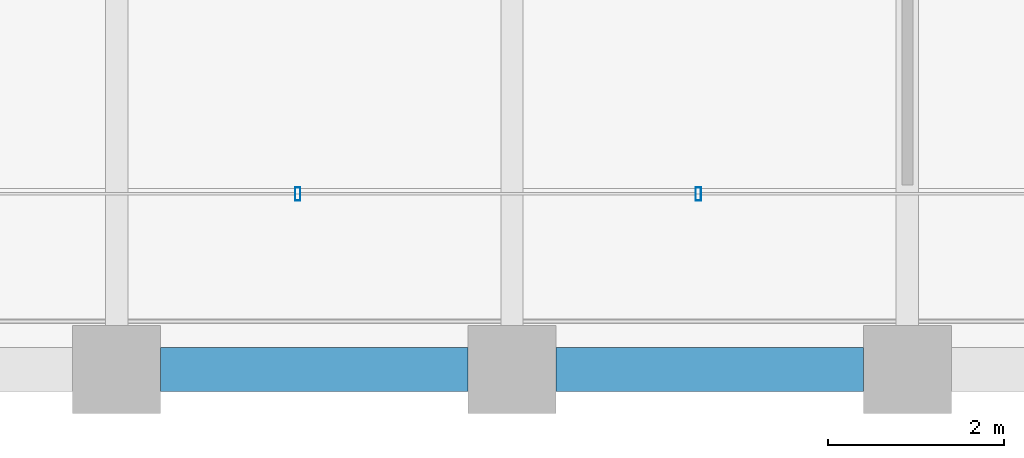
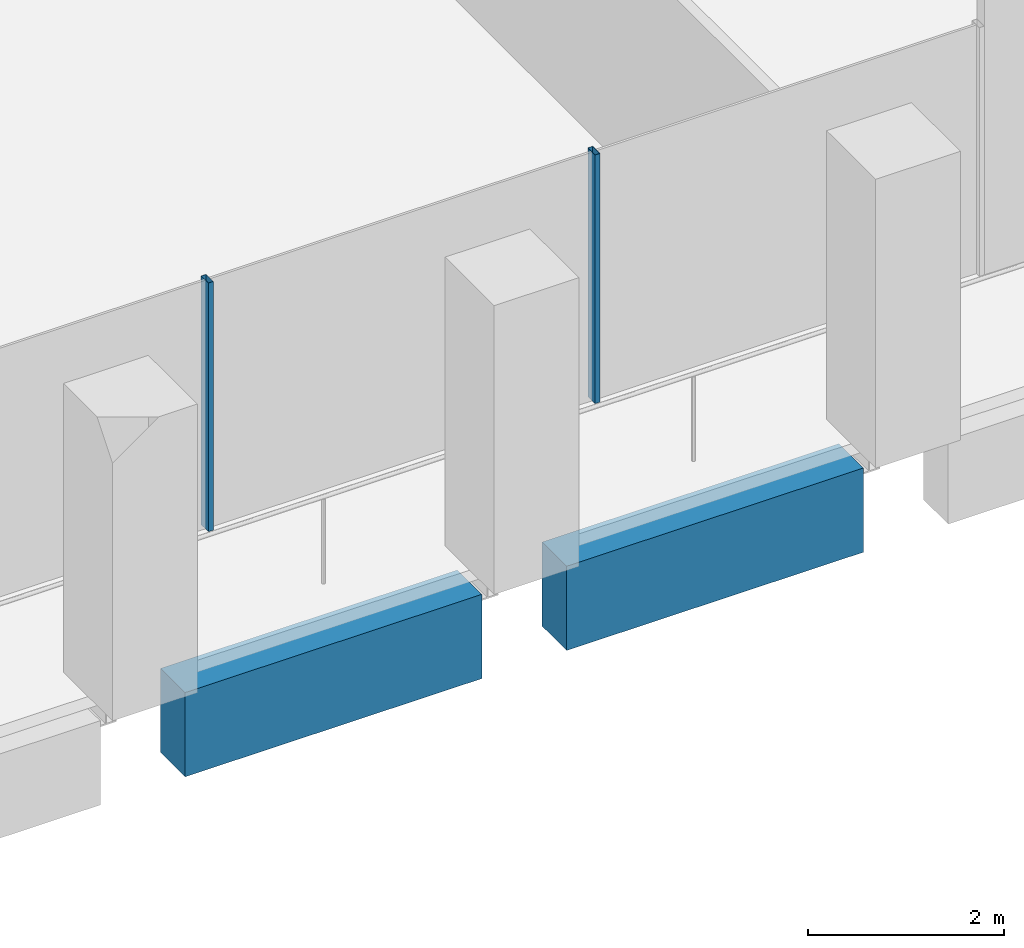
# One storey, part 3 of 46: 2 beams, 2 members, 1 element without a shape of its own.
"""IFC4 building model written with IfcOpenShell, lengths in metres."""

import ifcopenshell
import ifcopenshell.guid

model = None  # the IFC model being written
_history = None  # IfcOwnerHistory: only IFC2X3 demands one
_inside = {}  # id of a spatial element -> (the spatial element, [elements in it])
_under = {}  # id of a project, library or spatial element -> (it, [spatial elements below it])
_declared = {}  # id of a project -> (the project, [libraries it declares])
_typed = {}  # id of a type object -> (the type object, [elements of that type])
_made_of = {}  # id of a material, layer set ... -> (it, [elements and type objects made of it])


def new_model(schema):
    """Start an empty IFC model of exactly this schema.

    Asked for "IFC4X3", IfcOpenShell would pick the latest addendum, in which some entities
    have other attributes; the version numbers below select the first issue.
    IFC2X3 requires an IfcOwnerHistory on every rooted entity: one is made here for all.
    """
    global model, _history
    if schema == "IFC4X3":
        model = ifcopenshell.file(schema_version=(4, 3, 0, 0))
    else:
        model = ifcopenshell.file(schema=schema)
    _inside.clear()
    _under.clear()
    _declared.clear()
    _typed.clear()
    _made_of.clear()
    _history = None
    if model.schema == "IFC2X3":
        org = make("IfcOrganization", Name="unknown")
        user = make(
            "IfcPersonAndOrganization",
            ThePerson=make("IfcPerson", FamilyName="unknown"),
            TheOrganization=org,
        )
        app = make(
            "IfcApplication",
            ApplicationDeveloper=org,
            Version="unknown",
            ApplicationFullName="unknown",
            ApplicationIdentifier="unknown",
        )
        _history = make(
            "IfcOwnerHistory",
            OwningUser=user,
            OwningApplication=app,
            ChangeAction="ADDED",
            CreationDate=0,
        )
    return model


def make(cls, **values):
    """One entity of the class cls with the attributes given. An attribute that is None is left unset."""
    return model.create_entity(
        cls, **{name: value for name, value in values.items() if value is not None}
    )


def rooted(cls, **values):
    """An entity with a GlobalId (a new one), such as an element, a storey or a relation."""
    return make(cls, GlobalId=ifcopenshell.guid.new(), OwnerHistory=_history, **values)


def si_unit(unit_type, name, prefix=None):
    """IfcSIUnit, for example si_unit("LENGTHUNIT", "METRE", prefix="MILLI")."""
    return make("IfcSIUnit", UnitType=unit_type, Prefix=prefix, Name=name)


def assignment(units):
    """IfcUnitAssignment: the units of a project."""
    return None if units is None else make("IfcUnitAssignment", Units=units)


def point(xyz):
    """IfcCartesianPoint."""
    return None if xyz is None else make("IfcCartesianPoint", Coordinates=xyz)


def direction(xyz):
    """IfcDirection."""
    return None if xyz is None else make("IfcDirection", DirectionRatios=xyz)


def frame(location, z_axis=None, x_axis=None):
    """IfcAxis2Placement3D, a coordinate frame: its origin and axes. An axis left out is left unset."""
    return make(
        "IfcAxis2Placement3D",
        Location=point(location),
        Axis=direction(z_axis),
        RefDirection=direction(x_axis),
    )


def frame_2d(location, x_axis=None):
    """IfcAxis2Placement2D, a coordinate frame in the plane: its origin and x axis."""
    return make(
        "IfcAxis2Placement2D", Location=point(location), RefDirection=direction(x_axis)
    )


def origin():
    """The frame at (0, 0, 0) with its axes left unset."""
    return frame((0.0, 0.0, 0.0))


def origin_2d():
    """The frame at (0, 0) in the plane with its x axis left unset."""
    return frame_2d((0.0, 0.0))


def place(relative_to, where):
    """IfcLocalPlacement: puts the frame where relative to a parent placement (None: the world)."""
    return make(
        "IfcLocalPlacement", PlacementRelTo=relative_to, RelativePlacement=where
    )


def context(
    kind, dimensions, precision=None, world=None, true_north=None, identifier=None
):
    """IfcGeometricRepresentationContext, for example the 3D "Model" context."""
    return make(
        "IfcGeometricRepresentationContext",
        ContextIdentifier=identifier,
        ContextType=kind,
        CoordinateSpaceDimension=dimensions,
        Precision=precision,
        WorldCoordinateSystem=world,
        TrueNorth=true_north,
    )


def subcontext(parent, identifier, kind, view, scale=None):
    """IfcGeometricRepresentationSubContext, for example "Body" below "Model"."""
    return make(
        "IfcGeometricRepresentationSubContext",
        ContextIdentifier=identifier,
        ContextType=kind,
        ParentContext=parent,
        TargetScale=scale,
        TargetView=view,
    )


def project(units=None, contexts=None):
    """IfcProject with its units and contexts."""
    return rooted(
        "IfcProject",
        Name="project",
        RepresentationContexts=contexts,
        UnitsInContext=assignment(units),
    )


def spatial(cls, under=None, at=None, **own):
    """A site, building, storey or space (cls), placed at a placement, below another one or the project."""
    s = rooted(cls, ObjectPlacement=at, **own)
    if under is not None:
        _under.setdefault(under.id(), (under, []))[1].append(s)
    return s


def profile(cls, at=None, kind="AREA", **sizes):
    """A parametric profile (cls). Its sizes go by their IFC names, for example OverallWidth=200.0."""
    return make(cls, ProfileType=kind, Position=at, **sizes)


def rectangle(**sizes):
    """IfcRectangleProfileDef."""
    return profile("IfcRectangleProfileDef", **sizes)


def hollow_rectangle(**sizes):
    """IfcRectangleHollowProfileDef."""
    return profile("IfcRectangleHollowProfileDef", **sizes)


def extrude(swept, where, along, depth):
    """IfcExtrudedAreaSolid: the profile swept, set in the frame where, extruded along a direction by depth."""
    return make(
        "IfcExtrudedAreaSolid",
        SweptArea=swept,
        Position=where,
        ExtrudedDirection=direction(along),
        Depth=depth,
    )


def shape(context_of_items, identifier, shape_type, items):
    """IfcShapeRepresentation: the items that make up one representation, for example the "Body"."""
    return make(
        "IfcShapeRepresentation",
        ContextOfItems=context_of_items,
        RepresentationIdentifier=identifier,
        RepresentationType=shape_type,
        Items=items,
    )


def material(Name=None, Category=None):
    """IfcMaterial."""
    return make("IfcMaterial", Name=Name, Category=Category)


def material_profile(
    of_material, cross_section, Name=None, Category=None, Priority=None
):
    """IfcMaterialProfile: a cross section and its material."""
    return make(
        "IfcMaterialProfile",
        Name=Name,
        Material=of_material,
        Profile=cross_section,
        Priority=Priority,
        Category=Category,
    )


def profile_set(profiles, Name=None, composite=None):
    """IfcMaterialProfileSet."""
    return make(
        "IfcMaterialProfileSet",
        Name=Name,
        MaterialProfiles=profiles,
        CompositeProfile=composite,
    )


def made_of(thing, what):
    """Note that an element or type object is made of a material, layer set ...; save() writes the relation."""
    if what is not None:
        _made_of.setdefault(what.id(), (what, []))[1].append(thing)
    return thing


def type_object(cls, material=None, **own):
    """A type object (cls), such as IfcWallType, which elements share."""
    return made_of(rooted(cls, **own), material)


def element(
    cls,
    number,
    at=None,
    inside=None,
    cuts=None,
    type_object=None,
    material=None,
    context=None,
    identifier="Body",
    shape_type=None,
    held_by="IfcProductDefinitionShape",
    body=None,
    shapes=None,
    **own,
):
    """One element of the class cls, such as IfcWall. Its Tag is "e" and its number.

    at: its placement. inside: the storey or other place that contains it. cuts: it is an
    opening in that element (IfcRelVoidsElement). A single representation is given by context,
    identifier, shape_type and body (its items); several are given by shapes. held_by: the class
    of the entity that holds the representations. save() writes the other relations.
    """
    e = rooted(cls, Tag="e%d" % number, ObjectPlacement=at, **own)
    if body is not None:
        shapes = [shape(context, identifier, shape_type, body)]
    if shapes is not None:
        e.Representation = make(held_by, Representations=shapes)
    if inside is not None:
        _inside.setdefault(inside.id(), (inside, []))[1].append(e)
    if cuts is not None:
        rooted(
            "IfcRelVoidsElement", RelatingBuildingElement=cuts, RelatedOpeningElement=e
        )
    if type_object is not None:
        _typed.setdefault(type_object.id(), (type_object, []))[1].append(e)
    return made_of(e, material)


def aggregate(whole, parts):
    """IfcRelAggregates: a whole, such as a stair, and the parts it consists of."""
    return rooted("IfcRelAggregates", RelatingObject=whole, RelatedObjects=parts)


def save(model, path):
    """Write the relations noted so far, then the file.

    IfcRelAggregates (storeys below a building ...), IfcRelContainedInSpatialStructure (elements
    in a storey), IfcRelDefinesByType, IfcRelAssociatesMaterial and IfcRelDeclares: one each for
    every whole, place, type object, material and project.
    """
    for whole, parts in _under.values():
        aggregate(whole, parts)
    for where, things in _inside.values():
        rooted(
            "IfcRelContainedInSpatialStructure",
            RelatedElements=things,
            RelatingStructure=where,
        )
    for kind, things in _typed.values():
        rooted("IfcRelDefinesByType", RelatedObjects=things, RelatingType=kind)
    for what, things in _made_of.values():
        rooted("IfcRelAssociatesMaterial", RelatedObjects=things, RelatingMaterial=what)
    for by, libraries in _declared.values():
        rooted("IfcRelDeclares", RelatingContext=by, RelatedDefinitions=libraries)
    model.write(path)


model = new_model("IFC4")

# Units and contexts
model_context = context("Model", 3, precision=1e-05, world=origin(), true_north=direction((0.0, 1.0)))
body_context = subcontext(model_context, "Body", "Model", "MODEL_VIEW")
ifc_project = project(units=[si_unit("LENGTHUNIT", "METRE"), si_unit("AREAUNIT", "SQUARE_METRE"), si_unit("VOLUMEUNIT", "CUBIC_METRE"), si_unit("PLANEANGLEUNIT", "RADIAN"), si_unit("MASSUNIT", "GRAM", prefix="KILO")], contexts=[model_context])

# Site, building, storey
site_placement = place(None, origin())
site = spatial("IfcSite", under=ifc_project, at=site_placement, CompositionType="ELEMENT")
building_placement = place(site_placement, origin())
building = spatial("IfcBuilding", under=site, at=building_placement, Name="Altepetl Exchange Towers", CompositionType="ELEMENT")
storey_placement = place(building_placement, frame((0.0, 0.0, 128.0)))
storey = spatial("IfcBuildingStorey", under=building, at=storey_placement, Name="L31", CompositionType="ELEMENT", Elevation=128.0)

# Curtain wall, members
ifc_material_1 = material(Name="Aluminium 6063-T6 glazing", Category="aluminium")
curtain_wall_type = type_object("IfcCurtainWallType", Name="Loggia glazing system", PredefinedType="NOTDEFINED", material=ifc_material_1)
curtain_wall_placement = place(storey_placement, origin())
curtain_wall = element("IfcCurtainWall", 1, at=curtain_wall_placement, inside=storey, type_object=curtain_wall_type, Name="CW1 run", PredefinedType="NOTDEFINED")
ifc_material_2 = material(Name="Aluminium 6063-T6", Category="aluminium")
ifc_material_profile_1 = material_profile(ifc_material_2, hollow_rectangle(XDim=0.06005859375, YDim=0.14990234375, WallThickness=0.0029296875, at=origin_2d()), Name="Mullion 60x150 aluminium")
ifc_profile_set_1 = profile_set([ifc_material_profile_1], Name="Aluminium 6063-T6")
member_type = type_object("IfcMemberType", Name="Mullion 60x150 aluminium", PredefinedType="MULLION", material=ifc_profile_set_1)
member_1_placement = place(storey_placement, frame((38.060791015625, 29.0, 0.0)))
member_1 = element("IfcMember", 2, at=member_1_placement, type_object=member_type, Name="MU1 mullion", PredefinedType="MULLION", context=body_context, shape_type="SweptSolid", body=[
    extrude(hollow_rectangle(XDim=0.06005859375, YDim=0.14990234375, WallThickness=0.0029296875, at=origin_2d()), origin(), (0.0, 0.0, 1.0), 3.10009765625),
])
member_2_placement = place(storey_placement, frame((42.621337890625, 29.0, 0.0)))
member_2 = element("IfcMember", 3, at=member_2_placement, type_object=member_type, Name="MU1 mullion", PredefinedType="MULLION", context=body_context, shape_type="SweptSolid", body=[
    extrude(hollow_rectangle(XDim=0.06005859375, YDim=0.14990234375, WallThickness=0.0029296875, at=origin_2d()), origin(), (0.0, 0.0, 1.0), 3.10009765625),
])
aggregate(curtain_wall, [member_1, member_2])

# Beams
ifc_material_3 = material(Name="Concrete C50/60 precast with cantera blanca facing", Category="concrete")
ifc_material_profile_2 = material_profile(ifc_material_3, rectangle(XDim=0.5, YDim=1.050048828125, at=origin_2d()), Name="500 x 1050")
ifc_profile_set_2 = profile_set([ifc_material_profile_2], Name="Concrete C50/60 precast with cantera blanca facing")
beam_type = type_object("IfcBeamType", Name="Spandrel beam 500x1050 cantera blanca", PredefinedType="SPANDREL", material=ifc_profile_set_2)
for number, where, z_axis, x_axis, name in (
    (4, (36.5, 27.0, -0.675048828125), (1.0, 0.0, 0.0), (0.0, 1.0, 0.0), "sp:A:L31:001"),
    (5, (41.0, 27.0, -0.675048828125), (1.0, 0.0, 0.0), (0.0, 1.0, 0.0), "sp:A:L31:002"),
):
    element("IfcBeam", number, at=place(storey_placement, frame(where, z_axis=z_axis, x_axis=x_axis)), inside=storey, type_object=beam_type, Name=name, PredefinedType="SPANDREL", context=body_context, shape_type="SweptSolid", body=[
        extrude(rectangle(XDim=0.5, YDim=1.050048828125, at=origin_2d()), origin(), (0.0, 0.0, 1.0), 3.5),
    ])

save(model, "model.ifc")
